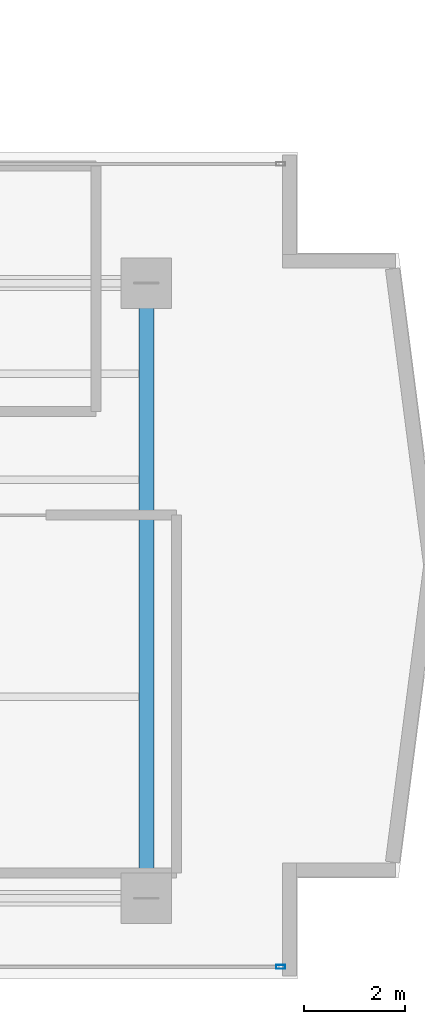
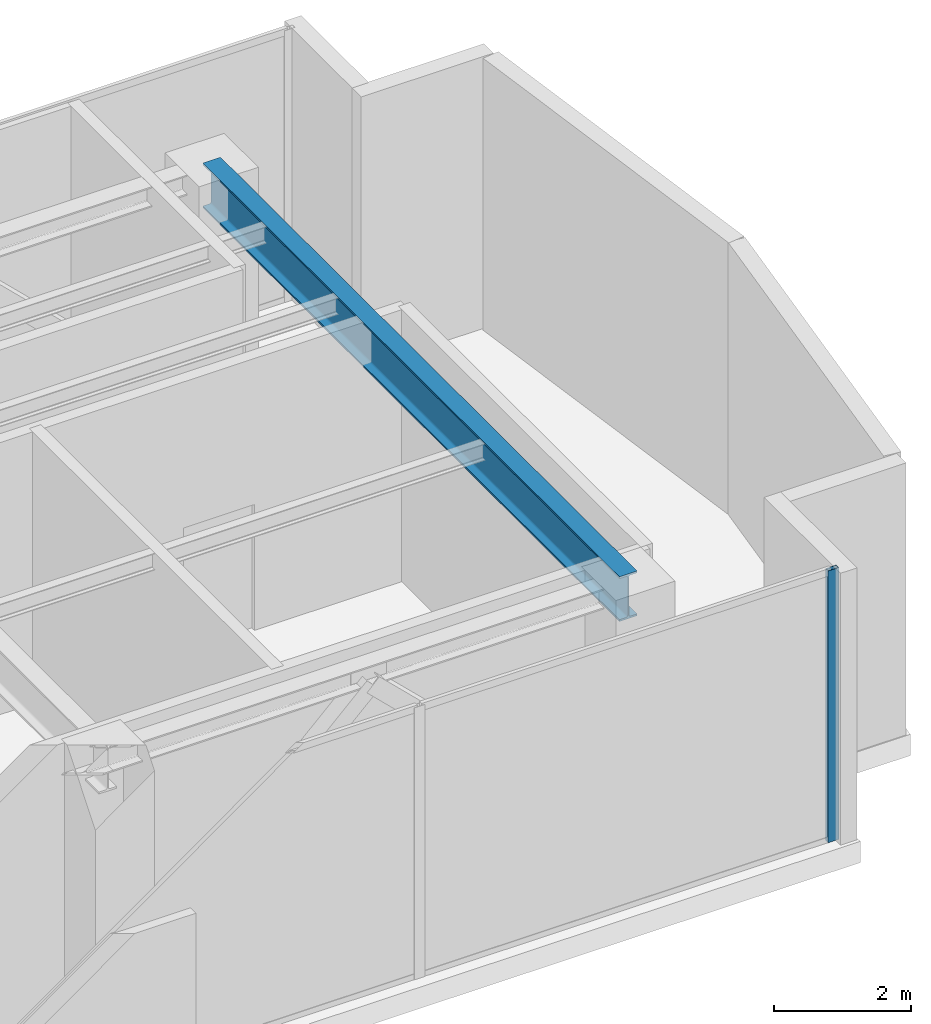
# One storey, part 17 of 31: 1 beam, 1 member, 1 element without a shape of its own.
"""IFC4 building model written with IfcOpenShell, lengths in metres."""

from ifc_helpers import new_model, si_unit, direction, frame, origin, origin_with_axes, origin_2d, place, context, subcontext, project, spatial, hollow_rectangle, i_section, extrude, source, transform, mapped, material, layer, layer_set, material_profile, profile_set, type_object, element, aggregate, save


model = new_model("IFC4")

# Units and contexts
model_context = context("Model", 3, precision=1e-05, world=origin(), true_north=direction((0.0, 1.0)))
body_context = subcontext(model_context, "Body", "Model", "MODEL_VIEW")
ifc_project = project(units=[si_unit("LENGTHUNIT", "METRE"), si_unit("AREAUNIT", "SQUARE_METRE"), si_unit("VOLUMEUNIT", "CUBIC_METRE"), si_unit("PLANEANGLEUNIT", "RADIAN"), si_unit("MASSUNIT", "GRAM", prefix="KILO")], contexts=[model_context])

# Site, building, storey
site_placement = place(None, origin())
site = spatial("IfcSite", under=ifc_project, at=site_placement, CompositionType="ELEMENT")
building_placement = place(site_placement, origin())
building = spatial("IfcBuilding", under=site, at=building_placement, Name="Kolvaren Waterfront Exchange", CompositionType="ELEMENT")
storey_placement = place(building_placement, frame((0.0, 0.0, 257.699951171875)))
storey = spatial("IfcBuildingStorey", under=building, at=storey_placement, Name="L66", CompositionType="ELEMENT", Elevation=257.699951171875)

# Beam
ifc_material_1 = material(Name="Steel S355", Category="steel")
ifc_material_profile_1 = material_profile(ifc_material_1, i_section(OverallWidth=0.300048828125, OverallDepth=0.800048828125, WebThickness=0.017578125, FlangeThickness=0.032958984375, FilletRadius=0.030029296875, at=origin_2d()), Name="HEB800")
ifc_profile_set_1 = profile_set([ifc_material_profile_1], Name="Steel S355")
beam_type = type_object("IfcBeamType", Name="STR-BM-HEB800", PredefinedType="BEAM", material=ifc_profile_set_1)
beam_placement = place(storey_placement, frame((45.60009765625, 5.199951171875, 4.4599609375), z_axis=(0.0, 1.0, 0.0), x_axis=(-1.0, 0.0, 0.0)))
element("IfcBeam", 1, at=beam_placement, inside=storey, type_object=beam_type, Name="L66 east-arm transverse girder X45", PredefinedType="BEAM", context=body_context, shape_type="SweptSolid", body=[
    extrude(i_section(OverallWidth=0.300048828125, OverallDepth=0.800048828125, WebThickness=0.017578125, FlangeThickness=0.032958984375, FilletRadius=0.030029296875, at=origin_2d()), origin(), (0.0, 0.0, 1.0), 12.199951171875),
])

# Curtain wall, member
ifc_material_2 = material(Name="Anodised dark bronze spandrel aluminium", Category="aluminium")
ifc_layer = layer(ifc_material_2, 0.219970703125, Name="Anodised dark bronze spandrel aluminium")
ifc_layer_set = layer_set([ifc_layer], Name="Anodised dark bronze spandrel aluminium")
curtain_wall_type = type_object("IfcCurtainWallType", Name="ARC-CW-SYS6", PredefinedType="USERDEFINED", material=ifc_layer_set)
curtain_wall_placement = place(storey_placement, origin())
curtain_wall = element("IfcCurtainWall", 2, at=curtain_wall_placement, inside=storey, type_object=curtain_wall_type, Name="L66 stick curtain wall CW6 (CW-L66-S)", ObjectType="STICK CURTAIN WALL", PredefinedType="USERDEFINED")
ifc_material_3 = material(Name="Anodised bronze aluminium 6063-T6", Category="aluminium")
ifc_material_profile_2 = material_profile(ifc_material_3, hollow_rectangle(XDim=0.074951171875, YDim=0.179931640625, WallThickness=0.00439453125, at=origin_2d()), Name="ALU-MUL-180x75x4.5")
ifc_profile_set_2 = profile_set([ifc_material_profile_2], Name="Anodised bronze aluminium 6063-T6")
member_type = type_object("IfcMemberType", Name="ARC-CWM-180", PredefinedType="MULLION", material=ifc_profile_set_2)
shared_shape = source(origin_with_axes(), body_context, "Body", "SweptSolid", [
    extrude(hollow_rectangle(XDim=0.074951171875, YDim=0.179931640625, WallThickness=0.00439453125, at=origin_2d()), origin(), (0.0, 0.0, 1.0), 4.860107421875),
])
member_placement = place(storey_placement, frame((48.262451171875, 3.840087890625, 0.0), z_axis=(0.0, 0.0, 1.0), x_axis=(0.0, 1.0, 0.0)))
member = element("IfcMember", 3, at=member_placement, type_object=member_type, Name="CW6 mullion 7", PredefinedType="MULLION", context=body_context, shape_type="MappedRepresentation", body=[
    mapped(shared_shape, transform((0.0, 0.0, 0.0), x_axis=(1.0, 0.0, 0.0), y_axis=(0.0, 1.0, 0.0), z_axis=(0.0, 0.0, 1.0), scale=1.0)),
])
aggregate(curtain_wall, [member])

save(model, "model.ifc")
